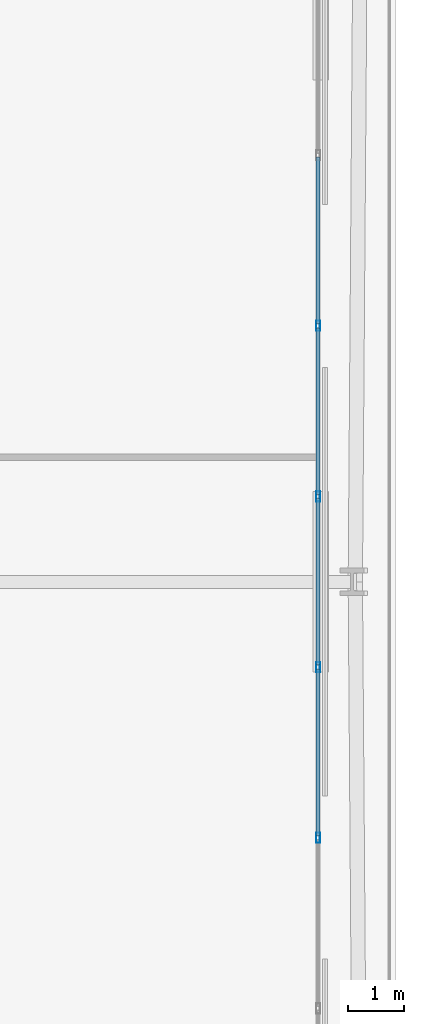
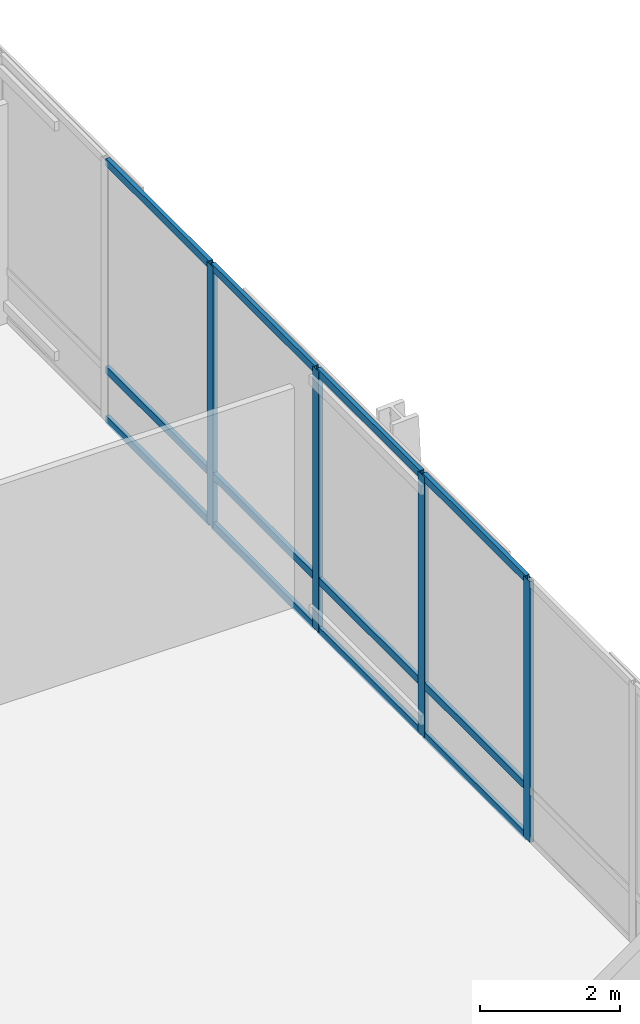
# One storey, part 26 of 48: 16 members, 1 element without a shape of its own.
"""IFC4 building model written with IfcOpenShell, lengths in metres."""

from ifc_helpers import new_model, si_unit, direction, frame, origin, origin_2d, place, context, subcontext, project, spatial, hollow_rectangle, extrude, material, layer, layer_set, material_profile, profile_set, type_object, element, aggregate, save


model = new_model("IFC4")

# Units and contexts
model_context = context("Model", 3, precision=1e-05, world=origin(), true_north=direction((0.0, 1.0)))
body_context = subcontext(model_context, "Body", "Model", "MODEL_VIEW")
ifc_project = project(units=[si_unit("LENGTHUNIT", "METRE"), si_unit("AREAUNIT", "SQUARE_METRE"), si_unit("VOLUMEUNIT", "CUBIC_METRE"), si_unit("PLANEANGLEUNIT", "RADIAN"), si_unit("MASSUNIT", "GRAM", prefix="KILO")], contexts=[model_context])

# Site, building, storey
site_placement = place(None, origin())
site = spatial("IfcSite", under=ifc_project, at=site_placement, CompositionType="ELEMENT")
building_placement = place(site_placement, origin())
building = spatial("IfcBuilding", under=site, at=building_placement, Name="Caelvoria Tower", CompositionType="ELEMENT")
storey_placement = place(building_placement, frame((0.0, 0.0, 90.39990234375)))
storey = spatial("IfcBuildingStorey", under=building, at=storey_placement, Name="L23", CompositionType="ELEMENT", Elevation=90.39990234375)

# Curtain wall, members
ifc_material_1 = material(Name="Anodised Bronze Aluminium and Low-E Glass", Category="aluminium")
ifc_layer = layer(ifc_material_1, 0.2099609375, Name="Anodised Bronze Aluminium and Low-E Glass")
ifc_layer_set = layer_set([ifc_layer], Name="CW System 3 Sky Lobby Double-Height Acoustic Facade - Anodised Bronze Aluminium and Low-E Glass")
curtain_wall_type = type_object("IfcCurtainWallType", Name="CW System 3 Sky Lobby Double-Height Acoustic Facade", PredefinedType="NOTDEFINED", material=ifc_layer_set)
curtain_wall_placement = place(storey_placement, origin())
curtain_wall = element("IfcCurtainWall", 1, at=curtain_wall_placement, inside=storey, type_object=curtain_wall_type, Name="CW-03 Curtain Wall L23-E2", PredefinedType="NOTDEFINED")
ifc_material_2 = material(Name="Anodised Bronze Architectural Aluminium", Category="aluminium")
ifc_material_profile_1 = material_profile(ifc_material_2, hollow_rectangle(XDim=0.070068359375, YDim=0.179931640625, WallThickness=0.00390625, at=origin_2d()), Name="Anodised Bronze Architectural Aluminium")
ifc_profile_set_1 = profile_set([ifc_material_profile_1], Name="CW_MULL_70X180 - Anodised Bronze Architectural Aluminium")
member_type_1 = type_object("IfcMemberType", Name="Curtain Wall Mullion 70x180 Bronze Aluminium", PredefinedType="MULLION", material=ifc_profile_set_1)
member_1_placement = place(storey_placement, frame((69.73681640625, 27.463623046875, 0.0), z_axis=(0.0, 0.0, 1.0), x_axis=(-1.0, 0.0, 0.0)))
member_1 = element("IfcMember", 2, at=member_1_placement, type_object=member_type_1, Name="CW-03 mullion 5", PredefinedType="MULLION", context=body_context, shape_type="SweptSolid", body=[
    extrude(hollow_rectangle(XDim=0.070068359375, YDim=0.179931640625, WallThickness=0.00390625, at=origin_2d()), origin(), (0.0, 0.0, 1.0), 4.56005859375),
])
member_2_placement = place(storey_placement, frame((69.73681640625, 30.48779296875, 0.0), z_axis=(0.0, 0.0, 1.0), x_axis=(-1.0, 0.0, 0.0)))
member_2 = element("IfcMember", 3, at=member_2_placement, type_object=member_type_1, Name="CW-03 mullion 6", PredefinedType="MULLION", context=body_context, shape_type="SweptSolid", body=[
    extrude(hollow_rectangle(XDim=0.070068359375, YDim=0.179931640625, WallThickness=0.00390625, at=origin_2d()), origin(), (0.0, 0.0, 1.0), 4.56005859375),
])
member_3_placement = place(storey_placement, frame((69.73681640625, 33.51220703125, 0.0), z_axis=(0.0, 0.0, 1.0), x_axis=(-1.0, 0.0, 0.0)))
member_3 = element("IfcMember", 4, at=member_3_placement, type_object=member_type_1, Name="CW-03 mullion 7", PredefinedType="MULLION", context=body_context, shape_type="SweptSolid", body=[
    extrude(hollow_rectangle(XDim=0.070068359375, YDim=0.179931640625, WallThickness=0.00390625, at=origin_2d()), origin(), (0.0, 0.0, 1.0), 4.56005859375),
])
member_4_placement = place(storey_placement, frame((69.73681640625, 36.536376953125, 0.0), z_axis=(0.0, 0.0, 1.0), x_axis=(-1.0, 0.0, 0.0)))
member_4 = element("IfcMember", 5, at=member_4_placement, type_object=member_type_1, Name="CW-03 mullion 8", PredefinedType="MULLION", context=body_context, shape_type="SweptSolid", body=[
    extrude(hollow_rectangle(XDim=0.070068359375, YDim=0.179931640625, WallThickness=0.00390625, at=origin_2d()), origin(), (0.0, 0.0, 1.0), 4.56005859375),
])
ifc_material_profile_2 = material_profile(ifc_material_2, hollow_rectangle(XDim=0.06494140625, YDim=0.1298828125, WallThickness=0.00341796875, at=origin_2d()), Name="Anodised Bronze Architectural Aluminium")
ifc_profile_set_2 = profile_set([ifc_material_profile_2], Name="CW_TRAN_65X130 - Anodised Bronze Architectural Aluminium")
member_type_2 = type_object("IfcMemberType", Name="Curtain Wall Transom 65x130 Bronze Aluminium", PredefinedType="USERDEFINED", material=ifc_profile_set_2)
member_5_placement = place(storey_placement, frame((69.73681640625, 27.49853515625, 0.03271484375), z_axis=(0.0, 1.0, 0.0), x_axis=(-1.0, 0.0, 0.0)))
member_5 = element("IfcMember", 6, at=member_5_placement, type_object=member_type_2, Name="CW-03 transom 5.1", ObjectType="TRANSOM", PredefinedType="USERDEFINED", context=body_context, shape_type="SweptSolid", body=[
    extrude(hollow_rectangle(XDim=0.06494140625, YDim=0.1298828125, WallThickness=0.00341796875, at=origin_2d()), origin(), (0.0, 0.0, 1.0), 2.954345703125),
])
member_6_placement = place(storey_placement, frame((69.73681640625, 27.49853515625, 0.900146484375), z_axis=(0.0, 1.0, 0.0), x_axis=(-1.0, 0.0, 0.0)))
member_6 = element("IfcMember", 7, at=member_6_placement, type_object=member_type_2, Name="CW-03 transom 5.2", ObjectType="TRANSOM", PredefinedType="USERDEFINED", context=body_context, shape_type="SweptSolid", body=[
    extrude(hollow_rectangle(XDim=0.06494140625, YDim=0.1298828125, WallThickness=0.00341796875, at=origin_2d()), origin(), (0.0, 0.0, 1.0), 2.954345703125),
])
member_7_placement = place(storey_placement, frame((69.73681640625, 27.49853515625, 4.527587890625), z_axis=(0.0, 1.0, 0.0), x_axis=(-1.0, 0.0, 0.0)))
member_7 = element("IfcMember", 8, at=member_7_placement, type_object=member_type_2, Name="CW-03 transom 5.3", ObjectType="TRANSOM", PredefinedType="USERDEFINED", context=body_context, shape_type="SweptSolid", body=[
    extrude(hollow_rectangle(XDim=0.06494140625, YDim=0.1298828125, WallThickness=0.00341796875, at=origin_2d()), origin(), (0.0, 0.0, 1.0), 2.954345703125),
])
member_8_placement = place(storey_placement, frame((69.73681640625, 30.52294921875, 0.03271484375), z_axis=(0.0, 1.0, 0.0), x_axis=(-1.0, 0.0, 0.0)))
member_8 = element("IfcMember", 9, at=member_8_placement, type_object=member_type_2, Name="CW-03 transom 6.1", ObjectType="TRANSOM", PredefinedType="USERDEFINED", context=body_context, shape_type="SweptSolid", body=[
    extrude(hollow_rectangle(XDim=0.06494140625, YDim=0.1298828125, WallThickness=0.00341796875, at=origin_2d()), origin(), (0.0, 0.0, 1.0), 2.9541015625),
])
member_9_placement = place(storey_placement, frame((69.73681640625, 30.52294921875, 0.900146484375), z_axis=(0.0, 1.0, 0.0), x_axis=(-1.0, 0.0, 0.0)))
member_9 = element("IfcMember", 10, at=member_9_placement, type_object=member_type_2, Name="CW-03 transom 6.2", ObjectType="TRANSOM", PredefinedType="USERDEFINED", context=body_context, shape_type="SweptSolid", body=[
    extrude(hollow_rectangle(XDim=0.06494140625, YDim=0.1298828125, WallThickness=0.00341796875, at=origin_2d()), origin(), (0.0, 0.0, 1.0), 2.9541015625),
])
member_10_placement = place(storey_placement, frame((69.73681640625, 30.52294921875, 4.527587890625), z_axis=(0.0, 1.0, 0.0), x_axis=(-1.0, 0.0, 0.0)))
member_10 = element("IfcMember", 11, at=member_10_placement, type_object=member_type_2, Name="CW-03 transom 6.3", ObjectType="TRANSOM", PredefinedType="USERDEFINED", context=body_context, shape_type="SweptSolid", body=[
    extrude(hollow_rectangle(XDim=0.06494140625, YDim=0.1298828125, WallThickness=0.00341796875, at=origin_2d()), origin(), (0.0, 0.0, 1.0), 2.9541015625),
])
member_11_placement = place(storey_placement, frame((69.73681640625, 33.547119140625, 0.03271484375), z_axis=(0.0, 1.0, 0.0), x_axis=(-1.0, 0.0, 0.0)))
member_11 = element("IfcMember", 12, at=member_11_placement, type_object=member_type_2, Name="CW-03 transom 7.1", ObjectType="TRANSOM", PredefinedType="USERDEFINED", context=body_context, shape_type="SweptSolid", body=[
    extrude(hollow_rectangle(XDim=0.06494140625, YDim=0.1298828125, WallThickness=0.00341796875, at=origin_2d()), origin(), (0.0, 0.0, 1.0), 2.954345703125),
])
member_12_placement = place(storey_placement, frame((69.73681640625, 33.547119140625, 0.900146484375), z_axis=(0.0, 1.0, 0.0), x_axis=(-1.0, 0.0, 0.0)))
member_12 = element("IfcMember", 13, at=member_12_placement, type_object=member_type_2, Name="CW-03 transom 7.2", ObjectType="TRANSOM", PredefinedType="USERDEFINED", context=body_context, shape_type="SweptSolid", body=[
    extrude(hollow_rectangle(XDim=0.06494140625, YDim=0.1298828125, WallThickness=0.00341796875, at=origin_2d()), origin(), (0.0, 0.0, 1.0), 2.954345703125),
])
member_13_placement = place(storey_placement, frame((69.73681640625, 33.547119140625, 4.527587890625), z_axis=(0.0, 1.0, 0.0), x_axis=(-1.0, 0.0, 0.0)))
member_13 = element("IfcMember", 14, at=member_13_placement, type_object=member_type_2, Name="CW-03 transom 7.3", ObjectType="TRANSOM", PredefinedType="USERDEFINED", context=body_context, shape_type="SweptSolid", body=[
    extrude(hollow_rectangle(XDim=0.06494140625, YDim=0.1298828125, WallThickness=0.00341796875, at=origin_2d()), origin(), (0.0, 0.0, 1.0), 2.954345703125),
])
member_14_placement = place(storey_placement, frame((69.73681640625, 36.5712890625, 0.03271484375), z_axis=(0.0, 1.0, 0.0), x_axis=(-1.0, 0.0, 0.0)))
member_14 = element("IfcMember", 15, at=member_14_placement, type_object=member_type_2, Name="CW-03 transom 8.1", ObjectType="TRANSOM", PredefinedType="USERDEFINED", context=body_context, shape_type="SweptSolid", body=[
    extrude(hollow_rectangle(XDim=0.06494140625, YDim=0.1298828125, WallThickness=0.00341796875, at=origin_2d()), origin(), (0.0, 0.0, 1.0), 2.954345703125),
])
member_15_placement = place(storey_placement, frame((69.73681640625, 36.5712890625, 0.900146484375), z_axis=(0.0, 1.0, 0.0), x_axis=(-1.0, 0.0, 0.0)))
member_15 = element("IfcMember", 16, at=member_15_placement, type_object=member_type_2, Name="CW-03 transom 8.2", ObjectType="TRANSOM", PredefinedType="USERDEFINED", context=body_context, shape_type="SweptSolid", body=[
    extrude(hollow_rectangle(XDim=0.06494140625, YDim=0.1298828125, WallThickness=0.00341796875, at=origin_2d()), origin(), (0.0, 0.0, 1.0), 2.954345703125),
])
member_16_placement = place(storey_placement, frame((69.73681640625, 36.5712890625, 4.527587890625), z_axis=(0.0, 1.0, 0.0), x_axis=(-1.0, 0.0, 0.0)))
member_16 = element("IfcMember", 17, at=member_16_placement, type_object=member_type_2, Name="CW-03 transom 8.3", ObjectType="TRANSOM", PredefinedType="USERDEFINED", context=body_context, shape_type="SweptSolid", body=[
    extrude(hollow_rectangle(XDim=0.06494140625, YDim=0.1298828125, WallThickness=0.00341796875, at=origin_2d()), origin(), (0.0, 0.0, 1.0), 2.954345703125),
])
aggregate(curtain_wall, [member_1, member_2, member_3, member_4, member_5, member_6, member_7, member_8, member_9, member_10, member_11, member_12, member_13, member_14, member_15, member_16])

save(model, "model.ifc")
